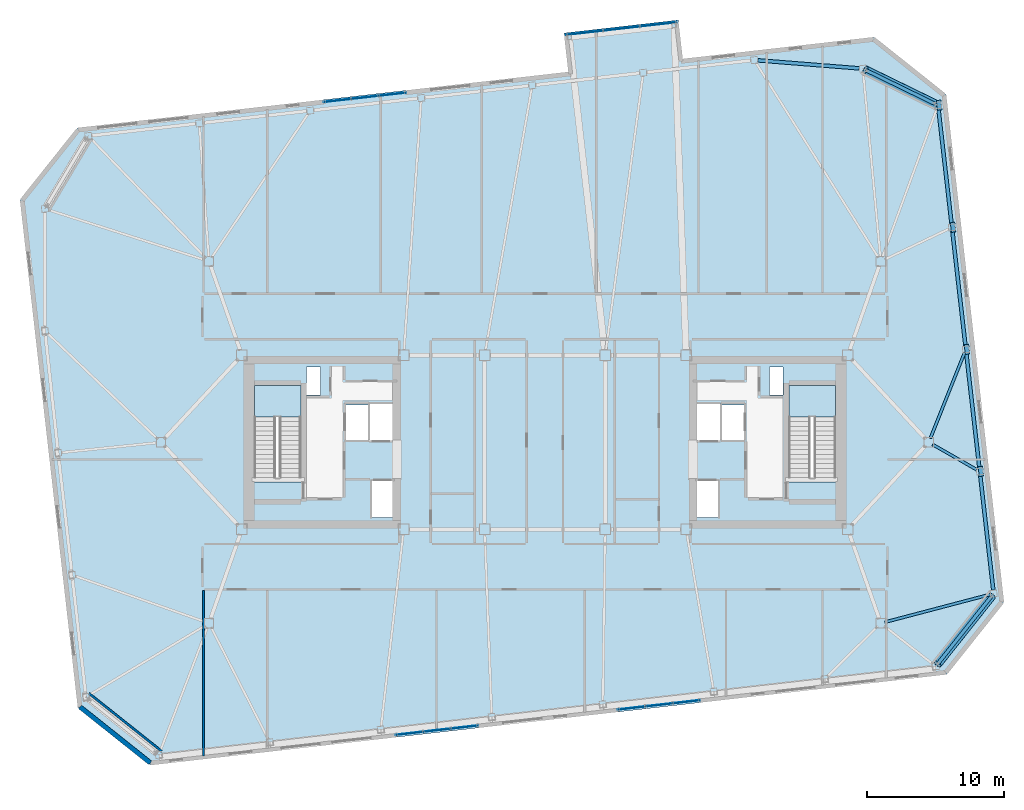
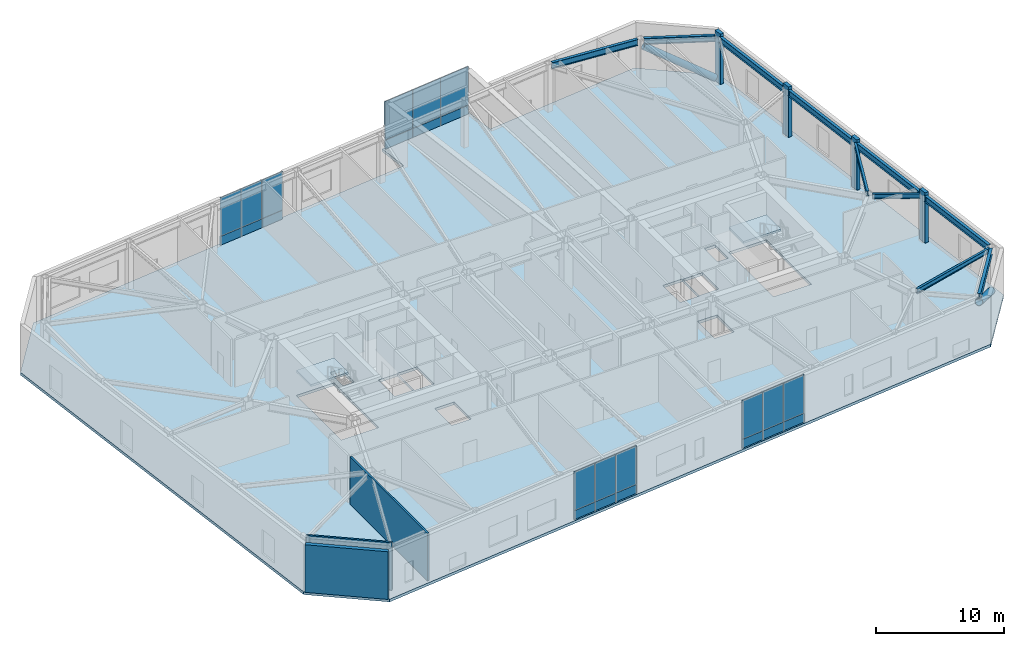
# One storey, part 13 of 21: 24 plates, 10 beams, 6 members, 3 slabs, 3 walls, 6 elements without a shape of their own.
"""IFC4 building model written with IfcOpenShell, lengths in metres."""

import ifcopenshell
import ifcopenshell.guid

model = None  # the IFC model being written
_history = None  # IfcOwnerHistory: only IFC2X3 demands one
_inside = {}  # id of a spatial element -> (the spatial element, [elements in it])
_under = {}  # id of a project, library or spatial element -> (it, [spatial elements below it])
_declared = {}  # id of a project -> (the project, [libraries it declares])
_typed = {}  # id of a type object -> (the type object, [elements of that type])
_made_of = {}  # id of a material, layer set ... -> (it, [elements and type objects made of it])


def new_model(schema):
    """Start an empty IFC model of exactly this schema.

    Asked for "IFC4X3", IfcOpenShell would pick the latest addendum, in which some entities
    have other attributes; the version numbers below select the first issue.
    IFC2X3 requires an IfcOwnerHistory on every rooted entity: one is made here for all.
    """
    global model, _history
    if schema == "IFC4X3":
        model = ifcopenshell.file(schema_version=(4, 3, 0, 0))
    else:
        model = ifcopenshell.file(schema=schema)
    _inside.clear()
    _under.clear()
    _declared.clear()
    _typed.clear()
    _made_of.clear()
    _history = None
    if model.schema == "IFC2X3":
        org = make("IfcOrganization", Name="unknown")
        user = make(
            "IfcPersonAndOrganization",
            ThePerson=make("IfcPerson", FamilyName="unknown"),
            TheOrganization=org,
        )
        app = make(
            "IfcApplication",
            ApplicationDeveloper=org,
            Version="unknown",
            ApplicationFullName="unknown",
            ApplicationIdentifier="unknown",
        )
        _history = make(
            "IfcOwnerHistory",
            OwningUser=user,
            OwningApplication=app,
            ChangeAction="ADDED",
            CreationDate=0,
        )
    return model


def make(cls, **values):
    """One entity of the class cls with the attributes given. An attribute that is None is left unset."""
    return model.create_entity(
        cls, **{name: value for name, value in values.items() if value is not None}
    )


def rooted(cls, **values):
    """An entity with a GlobalId (a new one), such as an element, a storey or a relation."""
    return make(cls, GlobalId=ifcopenshell.guid.new(), OwnerHistory=_history, **values)


def si_unit(unit_type, name, prefix=None):
    """IfcSIUnit, for example si_unit("LENGTHUNIT", "METRE", prefix="MILLI")."""
    return make("IfcSIUnit", UnitType=unit_type, Prefix=prefix, Name=name)


def assignment(units):
    """IfcUnitAssignment: the units of a project."""
    return None if units is None else make("IfcUnitAssignment", Units=units)


def point(xyz):
    """IfcCartesianPoint."""
    return None if xyz is None else make("IfcCartesianPoint", Coordinates=xyz)


def direction(xyz):
    """IfcDirection."""
    return None if xyz is None else make("IfcDirection", DirectionRatios=xyz)


def frame(location, z_axis=None, x_axis=None):
    """IfcAxis2Placement3D, a coordinate frame: its origin and axes. An axis left out is left unset."""
    return make(
        "IfcAxis2Placement3D",
        Location=point(location),
        Axis=direction(z_axis),
        RefDirection=direction(x_axis),
    )


def frame_2d(location, x_axis=None):
    """IfcAxis2Placement2D, a coordinate frame in the plane: its origin and x axis."""
    return make(
        "IfcAxis2Placement2D", Location=point(location), RefDirection=direction(x_axis)
    )


def origin():
    """The frame at (0, 0, 0) with its axes left unset."""
    return frame((0.0, 0.0, 0.0))


def origin_2d():
    """The frame at (0, 0) in the plane with its x axis left unset."""
    return frame_2d((0.0, 0.0))


def place(relative_to, where):
    """IfcLocalPlacement: puts the frame where relative to a parent placement (None: the world)."""
    return make(
        "IfcLocalPlacement", PlacementRelTo=relative_to, RelativePlacement=where
    )


def context(
    kind, dimensions, precision=None, world=None, true_north=None, identifier=None
):
    """IfcGeometricRepresentationContext, for example the 3D "Model" context."""
    return make(
        "IfcGeometricRepresentationContext",
        ContextIdentifier=identifier,
        ContextType=kind,
        CoordinateSpaceDimension=dimensions,
        Precision=precision,
        WorldCoordinateSystem=world,
        TrueNorth=true_north,
    )


def subcontext(parent, identifier, kind, view, scale=None):
    """IfcGeometricRepresentationSubContext, for example "Body" below "Model"."""
    return make(
        "IfcGeometricRepresentationSubContext",
        ContextIdentifier=identifier,
        ContextType=kind,
        ParentContext=parent,
        TargetScale=scale,
        TargetView=view,
    )


def project(units=None, contexts=None):
    """IfcProject with its units and contexts."""
    return rooted(
        "IfcProject",
        Name="project",
        RepresentationContexts=contexts,
        UnitsInContext=assignment(units),
    )


def spatial(cls, under=None, at=None, **own):
    """A site, building, storey or space (cls), placed at a placement, below another one or the project."""
    s = rooted(cls, ObjectPlacement=at, **own)
    if under is not None:
        _under.setdefault(under.id(), (under, []))[1].append(s)
    return s


def polyline(points):
    """IfcPolyline through the points."""
    return make("IfcPolyline", Points=[point(p) for p in points])


def profile(cls, at=None, kind="AREA", **sizes):
    """A parametric profile (cls). Its sizes go by their IFC names, for example OverallWidth=200.0."""
    return make(cls, ProfileType=kind, Position=at, **sizes)


def rectangle(**sizes):
    """IfcRectangleProfileDef."""
    return profile("IfcRectangleProfileDef", **sizes)


def hollow_circle(**sizes):
    """IfcCircleHollowProfileDef."""
    return profile("IfcCircleHollowProfileDef", **sizes)


def i_section(**sizes):
    """IfcIShapeProfileDef."""
    return profile("IfcIShapeProfileDef", **sizes)


def outline(outer, holes=None, kind="AREA"):
    """IfcArbitraryClosedProfileDef: a profile drawn as a closed curve; with holes, ...WithVoids."""
    if holes is None:
        return make("IfcArbitraryClosedProfileDef", ProfileType=kind, OuterCurve=outer)
    return make(
        "IfcArbitraryProfileDefWithVoids",
        ProfileType=kind,
        OuterCurve=outer,
        InnerCurves=holes,
    )


def extrude(swept, where, along, depth):
    """IfcExtrudedAreaSolid: the profile swept, set in the frame where, extruded along a direction by depth."""
    return make(
        "IfcExtrudedAreaSolid",
        SweptArea=swept,
        Position=where,
        ExtrudedDirection=direction(along),
        Depth=depth,
    )


def shape(context_of_items, identifier, shape_type, items):
    """IfcShapeRepresentation: the items that make up one representation, for example the "Body"."""
    return make(
        "IfcShapeRepresentation",
        ContextOfItems=context_of_items,
        RepresentationIdentifier=identifier,
        RepresentationType=shape_type,
        Items=items,
    )


def material(Name=None, Category=None):
    """IfcMaterial."""
    return make("IfcMaterial", Name=Name, Category=Category)


def layer(
    of_material, thickness, ventilated=None, Name=None, Category=None, Priority=None
):
    """IfcMaterialLayer: one layer of a wall or slab, of a material (None: an air gap)."""
    return make(
        "IfcMaterialLayer",
        Material=of_material,
        LayerThickness=thickness,
        IsVentilated=ventilated,
        Name=Name,
        Category=Category,
        Priority=Priority,
    )


def layer_set(layers, Name=None):
    """IfcMaterialLayerSet."""
    return make("IfcMaterialLayerSet", MaterialLayers=layers, LayerSetName=Name)


def material_profile(
    of_material, cross_section, Name=None, Category=None, Priority=None
):
    """IfcMaterialProfile: a cross section and its material."""
    return make(
        "IfcMaterialProfile",
        Name=Name,
        Material=of_material,
        Profile=cross_section,
        Priority=Priority,
        Category=Category,
    )


def profile_set(profiles, Name=None, composite=None):
    """IfcMaterialProfileSet."""
    return make(
        "IfcMaterialProfileSet",
        Name=Name,
        MaterialProfiles=profiles,
        CompositeProfile=composite,
    )


def made_of(thing, what):
    """Note that an element or type object is made of a material, layer set ...; save() writes the relation."""
    if what is not None:
        _made_of.setdefault(what.id(), (what, []))[1].append(thing)
    return thing


def type_object(cls, material=None, **own):
    """A type object (cls), such as IfcWallType, which elements share."""
    return made_of(rooted(cls, **own), material)


def element(
    cls,
    number,
    at=None,
    inside=None,
    cuts=None,
    type_object=None,
    material=None,
    context=None,
    identifier="Body",
    shape_type=None,
    held_by="IfcProductDefinitionShape",
    body=None,
    shapes=None,
    **own,
):
    """One element of the class cls, such as IfcWall. Its Tag is "e" and its number.

    at: its placement. inside: the storey or other place that contains it. cuts: it is an
    opening in that element (IfcRelVoidsElement). A single representation is given by context,
    identifier, shape_type and body (its items); several are given by shapes. held_by: the class
    of the entity that holds the representations. save() writes the other relations.
    """
    e = rooted(cls, Tag="e%d" % number, ObjectPlacement=at, **own)
    if body is not None:
        shapes = [shape(context, identifier, shape_type, body)]
    if shapes is not None:
        e.Representation = make(held_by, Representations=shapes)
    if inside is not None:
        _inside.setdefault(inside.id(), (inside, []))[1].append(e)
    if cuts is not None:
        rooted(
            "IfcRelVoidsElement", RelatingBuildingElement=cuts, RelatedOpeningElement=e
        )
    if type_object is not None:
        _typed.setdefault(type_object.id(), (type_object, []))[1].append(e)
    return made_of(e, material)


def aggregate(whole, parts):
    """IfcRelAggregates: a whole, such as a stair, and the parts it consists of."""
    return rooted("IfcRelAggregates", RelatingObject=whole, RelatedObjects=parts)


def save(model, path):
    """Write the relations noted so far, then the file.

    IfcRelAggregates (storeys below a building ...), IfcRelContainedInSpatialStructure (elements
    in a storey), IfcRelDefinesByType, IfcRelAssociatesMaterial and IfcRelDeclares: one each for
    every whole, place, type object, material and project.
    """
    for whole, parts in _under.values():
        aggregate(whole, parts)
    for where, things in _inside.values():
        rooted(
            "IfcRelContainedInSpatialStructure",
            RelatedElements=things,
            RelatingStructure=where,
        )
    for kind, things in _typed.values():
        rooted("IfcRelDefinesByType", RelatedObjects=things, RelatingType=kind)
    for what, things in _made_of.values():
        rooted("IfcRelAssociatesMaterial", RelatedObjects=things, RelatingMaterial=what)
    for by, libraries in _declared.values():
        rooted("IfcRelDeclares", RelatingContext=by, RelatedDefinitions=libraries)
    model.write(path)


model = new_model("IFC4")

# Units and contexts
model_context = context("Model", 3, precision=1e-05, world=origin(), true_north=direction((0.0, 1.0)))
body_context = subcontext(model_context, "Body", "Model", "MODEL_VIEW")
ifc_project = project(units=[si_unit("LENGTHUNIT", "METRE"), si_unit("AREAUNIT", "SQUARE_METRE"), si_unit("VOLUMEUNIT", "CUBIC_METRE"), si_unit("PLANEANGLEUNIT", "RADIAN"), si_unit("MASSUNIT", "GRAM", prefix="KILO")], contexts=[model_context])

# Site, building, storey
site_placement = place(None, origin())
site = spatial("IfcSite", under=ifc_project, at=site_placement, CompositionType="ELEMENT")
building_placement = place(site_placement, origin())
building = spatial("IfcBuilding", under=site, at=building_placement, Name="Tavrogorsk Clinical Tower", CompositionType="ELEMENT")
storey_placement = place(building_placement, frame((0.0, 0.0, 238.199951171875)))
storey = spatial("IfcBuildingStorey", under=building, at=storey_placement, Name="L55", CompositionType="ELEMENT", Elevation=238.199951171875)

# Members
ifc_material_1 = material(Name="Structural steel S440", Category="steel")
ifc_material_profile_1 = material_profile(ifc_material_1, hollow_circle(Radius=0.304931640625, WallThickness=0.02490234375, at=origin_2d()), Name="CHS-610x25")
ifc_profile_set_1 = profile_set([ifc_material_profile_1], Name="Structural steel S440")
member_type_1 = type_object("IfcMemberType", Name="ExoBrace_CHS610", PredefinedType="BRACE", material=ifc_profile_set_1)
member_1_placement = place(storey_placement, frame((32.592529296875, -11.21142578125, 0.420654296875), z_axis=(-0.550299521976, -0.691810956092, 0.467512606401), x_axis=(0.782603615604, -0.622520345726, 0.0)))
element("IfcMember", 1, at=member_1_placement, inside=storey, type_object=member_type_1, Name="L55 Corner Exoskeleton Brace S8-E1", PredefinedType="BRACE", context=body_context, shape_type="SweptSolid", body=[
    extrude(hollow_circle(Radius=0.304931640625, WallThickness=0.02490234375, at=origin_2d()), origin(), (0.0, 0.0, 1.0), 7.1630859375),
])
member_2_placement = place(storey_placement, frame((28.477294921875, 24.674072265625, 0.430908203125), z_axis=(-0.774848026398, 0.377889423668, 0.506764362863), x_axis=(-0.438343774876, -0.898807395957, 0.0)))
element("IfcMember", 2, at=member_2_placement, inside=storey, type_object=member_type_1, Name="L55 Corner Exoskeleton Brace E5-N1", PredefinedType="BRACE", context=body_context, shape_type="SweptSolid", body=[
    extrude(hollow_circle(Radius=0.304931640625, WallThickness=0.02490234375, at=origin_2d()), origin(), (0.0, 0.0, 1.0), 6.56787109375),
])

# Beams
ifc_material_2 = material(Name="Structural steel S355", Category="steel")
ifc_material_profile_2 = material_profile(ifc_material_2, i_section(OverallWidth=0.199951171875, OverallDepth=0.449951171875, WebThickness=0.011474609375, FlangeThickness=0.01806640625, at=origin_2d()), Name="B-450x200x11.5x18")
ifc_profile_set_2 = profile_set([ifc_material_profile_2], Name="Structural steel S355")
beam_type_1 = type_object("IfcBeamType", Name="FloorBeam_B450", PredefinedType="BEAM", material=ifc_profile_set_2)
beam_1_placement = place(storey_placement, frame((24.7998046875, -13.12109375, 4.31494140625), z_axis=(0.967072149487, 0.254502372652, 0.0), x_axis=(-0.254502372652, 0.967072149487, 0.0)))
element("IfcBeam", 3, at=beam_1_placement, inside=storey, type_object=beam_type_1, Name="L55 Radial Floor Beam E1", PredefinedType="BEAM", context=body_context, shape_type="SweptSolid", body=[
    extrude(i_section(OverallWidth=0.199951171875, OverallDepth=0.449951171875, WebThickness=0.011474609375, FlangeThickness=0.01806640625, at=origin_2d()), origin(), (0.0, 0.0, 1.0), 7.94677734375),
])
beam_2_placement = place(storey_placement, frame((28.26904296875, -0.154052734375, 4.31494140625), z_axis=(0.867782232017, -0.49694466271, 0.0), x_axis=(0.49694466271, 0.867782232017, 0.0)))
element("IfcBeam", 4, at=beam_2_placement, inside=storey, type_object=beam_type_1, Name="L55 Radial Floor Beam E2", PredefinedType="BEAM", context=body_context, shape_type="SweptSolid", body=[
    extrude(i_section(OverallWidth=0.199951171875, OverallDepth=0.449951171875, WebThickness=0.011474609375, FlangeThickness=0.01806640625, at=origin_2d()), origin(), (0.0, 0.0, 1.0), 3.718994140625),
])
beam_3_placement = place(storey_placement, frame((28.114990234375, 0.287841796875, 4.31494140625), z_axis=(0.371052625529, 0.928611839838, 0.0), x_axis=(-0.928611839838, 0.371052625529, 0.0)))
element("IfcBeam", 5, at=beam_3_placement, inside=storey, type_object=beam_type_1, Name="L55 Radial Floor Beam E3", PredefinedType="BEAM", context=body_context, shape_type="SweptSolid", body=[
    extrude(i_section(OverallWidth=0.199951171875, OverallDepth=0.449951171875, WebThickness=0.011474609375, FlangeThickness=0.01806640625, at=origin_2d()), origin(), (0.0, 0.0, 1.0), 6.724365234375),
])

# Members
ifc_material_3 = material(Name="Precast concrete B45 with limestone cladding", Category="masonry")
ifc_material_profile_3 = material_profile(ifc_material_3, rectangle(XDim=0.320068359375, YDim=0.719970703125, at=origin_2d()), Name="LIMESTONE-FIN-320x720")
ifc_profile_set_3 = profile_set([ifc_material_profile_3], Name="Precast concrete B45 with limestone cladding")
member_type_2 = type_object("IfcMemberType", Name="LimestonePleatFin_320x720", PredefinedType="USERDEFINED", material=ifc_profile_set_3)
for number, where, z_axis, x_axis, name in (
    (6, (31.799560546875, -2.121337890625, 0.0), (0.0, 0.0, 1.0), (0.993571855677, 0.113203213768, 0.0), "L55 E Pleated Stone Fin 1"),
    (7, (30.785400390625, 6.781005859375, 0.0), (0.0, 0.0, 1.0), (0.993571855677, 0.113203213768, 0.0), "L55 E Pleated Stone Fin 2"),
    (8, (29.77099609375, 15.683349609375, 0.0), (0.0, 0.0, 1.0), (0.993571855677, 0.113203213768, 0.0), "L55 E Pleated Stone Fin 3"),
    (9, (28.756591796875, 24.585693359375, 0.0), (0.0, 0.0, 1.0), (0.993571855677, 0.113203213768, 0.0), "L55 E Pleated Stone Fin 4"),
):
    element("IfcMember", number, at=place(storey_placement, frame(where, z_axis=z_axis, x_axis=x_axis)), inside=storey, type_object=member_type_2, Name=name, ObjectType="FIN", PredefinedType="USERDEFINED", context=body_context, shape_type="SweptSolid", body=[
        extrude(rectangle(XDim=0.320068359375, YDim=0.719970703125, at=origin_2d()), origin(), (0.0, 0.0, 1.0), 4.800048828125),
    ])

# Beams
ifc_material_4 = material(Name="Structural steel S390", Category="steel")
ifc_material_profile_4 = material_profile(ifc_material_4, i_section(OverallWidth=0.260009765625, OverallDepth=0.60009765625, WebThickness=0.014892578125, FlangeThickness=0.02392578125, at=origin_2d()), Name="B-600x260x15x24")
ifc_profile_set_4 = profile_set([ifc_material_profile_4], Name="Structural steel S390")
beam_type_2 = type_object("IfcBeamType", Name="SpandrelBeam_B600", PredefinedType="SPANDREL", material=ifc_profile_set_4)
beam_4_placement = place(storey_placement, frame((28.669189453125, -16.1435546875, 4.239990234375), z_axis=(0.622513813188, 0.782608811853, 0.0), x_axis=(-0.782608811853, 0.622513813188, 0.0)))
element("IfcBeam", 10, at=beam_4_placement, inside=storey, type_object=beam_type_2, Name="L55 Perimeter Spandrel S8-E1", PredefinedType="SPANDREL", context=body_context, shape_type="SweptSolid", body=[
    extrude(i_section(OverallWidth=0.260009765625, OverallDepth=0.60009765625, WebThickness=0.014892578125, FlangeThickness=0.02392578125, at=origin_2d()), origin(), (0.0, 0.0, 1.0), 6.272216796875),
])
for number, where, z_axis, x_axis, name in (
    (11, (32.705078125, -10.776611328125, 4.239990234375), (-0.113191877531, 0.993573147212, 0.0), (-0.993573147212, -0.113191877531, 0.0), "L55 Perimeter Spandrel E1-E2"),
    (12, (31.69091796875, -1.874267578125, 4.239990234375), (-0.113191877531, 0.993573147212, 0.0), (-0.993573147212, -0.113191877531, 0.0), "L55 Perimeter Spandrel E2-E3"),
):
    element("IfcBeam", number, at=place(storey_placement, frame(where, z_axis=z_axis, x_axis=x_axis)), inside=storey, type_object=beam_type_2, Name=name, PredefinedType="SPANDREL", context=body_context, shape_type="SweptSolid", body=[
        extrude(i_section(OverallWidth=0.260009765625, OverallDepth=0.60009765625, WebThickness=0.014892578125, FlangeThickness=0.02392578125, at=origin_2d()), origin(), (0.0, 0.0, 1.0), 8.444091796875),
    ])
for number, where, z_axis, x_axis, name in (
    (13, (30.676513671875, 7.0283203125, 4.239990234375), (-0.113195129234, 0.99357277676, 0.0), (-0.99357277676, -0.113195129234, 0.0), "L55 Perimeter Spandrel E3-E4"),
    (14, (29.662353515625, 15.9306640625, 4.239990234375), (-0.113223671813, 0.993569524563, 0.0), (-0.993569524563, -0.113223671813, 0.0), "L55 Perimeter Spandrel E4-E5"),
):
    element("IfcBeam", number, at=place(storey_placement, frame(where, z_axis=z_axis, x_axis=x_axis)), inside=storey, type_object=beam_type_2, Name=name, PredefinedType="SPANDREL", context=body_context, shape_type="SweptSolid", body=[
        extrude(i_section(OverallWidth=0.260009765625, OverallDepth=0.60009765625, WebThickness=0.014892578125, FlangeThickness=0.02392578125, at=origin_2d()), origin(), (0.0, 0.0, 1.0), 8.44384765625),
    ])
beam_5_placement = place(storey_placement, frame((28.4453125, 24.689697265625, 4.239990234375), z_axis=(-0.898811248667, 0.438335874951, 0.0), x_axis=(-0.438335874951, -0.898811248667, 0.0)))
element("IfcBeam", 15, at=beam_5_placement, inside=storey, type_object=beam_type_2, Name="L55 Perimeter Spandrel E5-N1", PredefinedType="SPANDREL", context=body_context, shape_type="SweptSolid", body=[
    extrude(i_section(OverallWidth=0.260009765625, OverallDepth=0.60009765625, WebThickness=0.014892578125, FlangeThickness=0.02392578125, at=origin_2d()), origin(), (0.0, 0.0, 1.0), 5.5908203125),
])
beam_6_placement = place(storey_placement, frame((22.930908203125, 27.273681640625, 4.239990234375), z_axis=(-0.996881705424, 0.078910489738, 0.0), x_axis=(-0.078910489738, -0.996881705424, 0.0)))
element("IfcBeam", 16, at=beam_6_placement, inside=storey, type_object=beam_type_2, Name="L55 Perimeter Spandrel N1-N2", PredefinedType="SPANDREL", context=body_context, shape_type="SweptSolid", body=[
    extrude(i_section(OverallWidth=0.260009765625, OverallDepth=0.60009765625, WebThickness=0.014892578125, FlangeThickness=0.02392578125, at=origin_2d()), origin(), (0.0, 0.0, 1.0), 7.428466796875),
])

# Curtain wall, plates
ifc_material_5 = material(Name="Anodised aluminium and triple IGU glazing", Category="aluminium")
ifc_layer_1 = layer(ifc_material_5, 0.179931640625)
ifc_layer_set_1 = layer_set([ifc_layer_1], Name="Anodised aluminium and triple IGU glazing")
curtain_wall_type_1 = type_object("IfcCurtainWallType", Name="CW5_SkyLobby", PredefinedType="NOTDEFINED", material=ifc_layer_set_1)
curtain_wall_1_placement = place(storey_placement, origin())
curtain_wall_1 = element("IfcCurtainWall", 17, at=curtain_wall_1_placement, inside=storey, type_object=curtain_wall_type_1, Name="L55 Curtain Wall CW-L55-S-CW5-1", PredefinedType="NOTDEFINED")
ifc_material_6 = material(Name="Honed Podolsk limestone spandrel panel", Category="masonry")
ifc_layer_2 = layer(ifc_material_6, 0.080078125)
ifc_layer_set_2 = layer_set([ifc_layer_2], Name="Honed Podolsk limestone spandrel panel")
plate_type_1 = type_object("IfcPlateType", Name="CwSpandrelStonePanel_80", PredefinedType="CURTAIN_PANEL", material=ifc_layer_set_2)
plate_1_placement = place(storey_placement, frame((-9.878173828125, -21.232421875, 0.002197265625), z_axis=(0.0, 0.0, 1.0), x_axis=(0.993571849076, 0.113203271705, 0.0)))
plate_1 = element("IfcPlate", 18, at=plate_1_placement, type_object=plate_type_1, Name="CW-L55-S-CW5-1 Stone Spandrel Panel 1", PredefinedType="CURTAIN_PANEL", context=body_context, shape_type="SweptSolid", body=[
    extrude(rectangle(XDim=2.006591796875, YDim=0.080078125, at=origin_2d()), origin(), (0.0, 0.0, 1.0), 0.8359375),
])
plate_2_placement = place(storey_placement, frame((-7.866455078125, -21.003173828125, 0.002197265625), z_axis=(0.0, 0.0, 1.0), x_axis=(0.993571849076, 0.113203271705, 0.0)))
plate_2 = element("IfcPlate", 19, at=plate_2_placement, type_object=plate_type_1, Name="CW-L55-S-CW5-1 Stone Spandrel Panel 2", PredefinedType="CURTAIN_PANEL", context=body_context, shape_type="SweptSolid", body=[
    extrude(rectangle(XDim=1.99462890625, YDim=0.080078125, at=origin_2d()), origin(), (0.0, 0.0, 1.0), 0.8359375),
])
plate_3_placement = place(storey_placement, frame((-5.85498046875, -20.77392578125, 0.002197265625), z_axis=(0.0, 0.0, 1.0), x_axis=(0.993571849076, 0.113203271705, 0.0)))
plate_3 = element("IfcPlate", 20, at=plate_3_placement, type_object=plate_type_1, Name="CW-L55-S-CW5-1 Stone Spandrel Panel 3", PredefinedType="CURTAIN_PANEL", context=body_context, shape_type="SweptSolid", body=[
    extrude(rectangle(XDim=2.006591796875, YDim=0.080078125, at=origin_2d()), origin(), (0.0, 0.0, 1.0), 0.8359375),
])

curtain_wall_2_placement = place(storey_placement, origin())
curtain_wall_2 = element("IfcCurtainWall", 21, at=curtain_wall_2_placement, inside=storey, type_object=curtain_wall_type_1, Name="L55 Curtain Wall CW-L55-S-CW5-2", PredefinedType="NOTDEFINED")
plate_4_placement = place(storey_placement, frame((6.314208984375, -19.387451171875, 0.002197265625), z_axis=(0.0, 0.0, 1.0), x_axis=(0.993571867648, 0.113203108698, 0.0)))
plate_4 = element("IfcPlate", 22, at=plate_4_placement, type_object=plate_type_1, Name="CW-L55-S-CW5-2 Stone Spandrel Panel 1", PredefinedType="CURTAIN_PANEL", context=body_context, shape_type="SweptSolid", body=[
    extrude(rectangle(XDim=2.006591796875, YDim=0.080078125, at=origin_2d()), origin(), (0.0, 0.0, 1.0), 0.8359375),
])
plate_5_placement = place(storey_placement, frame((8.325927734375, -19.158203125, 0.002197265625), z_axis=(0.0, 0.0, 1.0), x_axis=(0.993571867648, 0.113203108698, 0.0)))
plate_5 = element("IfcPlate", 23, at=plate_5_placement, type_object=plate_type_1, Name="CW-L55-S-CW5-2 Stone Spandrel Panel 2", PredefinedType="CURTAIN_PANEL", context=body_context, shape_type="SweptSolid", body=[
    extrude(rectangle(XDim=1.99462890625, YDim=0.080078125, at=origin_2d()), origin(), (0.0, 0.0, 1.0), 0.8359375),
])
plate_6_placement = place(storey_placement, frame((10.337646484375, -18.928955078125, 0.002197265625), z_axis=(0.0, 0.0, 1.0), x_axis=(0.993571867648, 0.113203108698, 0.0)))
plate_6 = element("IfcPlate", 24, at=plate_6_placement, type_object=plate_type_1, Name="CW-L55-S-CW5-2 Stone Spandrel Panel 3", PredefinedType="CURTAIN_PANEL", context=body_context, shape_type="SweptSolid", body=[
    extrude(rectangle(XDim=2.006591796875, YDim=0.080078125, at=origin_2d()), origin(), (0.0, 0.0, 1.0), 0.8359375),
])

curtain_wall_3_placement = place(storey_placement, origin())
curtain_wall_3 = element("IfcCurtainWall", 25, at=curtain_wall_3_placement, inside=storey, type_object=curtain_wall_type_1, Name="L55 Curtain Wall CW-L55-N-CW5-1", PredefinedType="NOTDEFINED")
plate_7_placement = place(storey_placement, frame((-11.1142578125, 25.387451171875, 0.002197265625), z_axis=(0.0, 0.0, 1.0), x_axis=(-0.993571867648, -0.113203108698, 0.0)))
plate_7 = element("IfcPlate", 26, at=plate_7_placement, type_object=plate_type_1, Name="CW-L55-N-CW5-1 Stone Spandrel Panel 1", PredefinedType="CURTAIN_PANEL", context=body_context, shape_type="SweptSolid", body=[
    extrude(rectangle(XDim=2.006591796875, YDim=0.080078125, at=origin_2d()), origin(), (0.0, 0.0, 1.0), 0.8359375),
])
plate_8_placement = place(storey_placement, frame((-13.1259765625, 25.158203125, 0.002197265625), z_axis=(0.0, 0.0, 1.0), x_axis=(-0.993571867648, -0.113203108698, 0.0)))
plate_8 = element("IfcPlate", 27, at=plate_8_placement, type_object=plate_type_1, Name="CW-L55-N-CW5-1 Stone Spandrel Panel 2", PredefinedType="CURTAIN_PANEL", context=body_context, shape_type="SweptSolid", body=[
    extrude(rectangle(XDim=1.99462890625, YDim=0.080078125, at=origin_2d()), origin(), (0.0, 0.0, 1.0), 0.8359375),
])
plate_9_placement = place(storey_placement, frame((-15.1376953125, 24.928955078125, 0.002197265625), z_axis=(0.0, 0.0, 1.0), x_axis=(-0.993571867648, -0.113203108698, 0.0)))
plate_9 = element("IfcPlate", 28, at=plate_9_placement, type_object=plate_type_1, Name="CW-L55-N-CW5-1 Stone Spandrel Panel 3", PredefinedType="CURTAIN_PANEL", context=body_context, shape_type="SweptSolid", body=[
    extrude(rectangle(XDim=2.006591796875, YDim=0.080078125, at=origin_2d()), origin(), (0.0, 0.0, 1.0), 0.8359375),
])

ifc_material_7 = material(Name="Anodised aluminium and triple IGU glazing", Category="aluminium")
ifc_layer_3 = layer(ifc_material_7, 0.179931640625)
ifc_layer_set_3 = layer_set([ifc_layer_3], Name="Anodised aluminium and triple IGU glazing")
curtain_wall_type_2 = type_object("IfcCurtainWallType", Name="CW4_DayroomBox", PredefinedType="NOTDEFINED", material=ifc_layer_set_3)
curtain_wall_4_placement = place(storey_placement, origin())
curtain_wall_4 = element("IfcCurtainWall", 29, at=curtain_wall_4_placement, inside=storey, type_object=curtain_wall_type_2, Name="L55 Curtain Wall CW-DRB-08-L55", PredefinedType="NOTDEFINED")
plate_10_placement = place(storey_placement, frame((2.885986328125, 29.87109375, 0.002197265625), z_axis=(0.0, 0.0, 1.0), x_axis=(0.993571856066, 0.113203210352, 0.0)))
plate_10 = element("IfcPlate", 30, at=plate_10_placement, type_object=plate_type_1, Name="CW-DRB-08-L55 Stone Spandrel Panel 1", PredefinedType="CURTAIN_PANEL", context=body_context, shape_type="SweptSolid", body=[
    extrude(rectangle(XDim=2.68798828125, YDim=0.080078125, at=origin_2d()), origin(), (0.0, 0.0, 1.0), 0.8359375),
])
plate_11_placement = place(storey_placement, frame((5.57470703125, 30.177490234375, 0.002197265625), z_axis=(0.0, 0.0, 1.0), x_axis=(0.993571856066, 0.113203210352, 0.0)))
plate_11 = element("IfcPlate", 31, at=plate_11_placement, type_object=plate_type_1, Name="CW-DRB-08-L55 Stone Spandrel Panel 2", PredefinedType="CURTAIN_PANEL", context=body_context, shape_type="SweptSolid", body=[
    extrude(rectangle(XDim=2.676025390625, YDim=0.080078125, at=origin_2d()), origin(), (0.0, 0.0, 1.0), 0.8359375),
])
plate_12_placement = place(storey_placement, frame((8.26318359375, 30.48388671875, 0.002197265625), z_axis=(0.0, 0.0, 1.0), x_axis=(0.993571856066, 0.113203210352, 0.0)))
plate_12 = element("IfcPlate", 32, at=plate_12_placement, type_object=plate_type_1, Name="CW-DRB-08-L55 Stone Spandrel Panel 3", PredefinedType="CURTAIN_PANEL", context=body_context, shape_type="SweptSolid", body=[
    extrude(rectangle(XDim=2.68798828125, YDim=0.080078125, at=origin_2d()), origin(), (0.0, 0.0, 1.0), 0.8359375),
])

# Plate
ifc_material_8 = material(Name="Triple low-E argon insulated glass", Category="glass")
ifc_layer_4 = layer(ifc_material_8, 0.048095703125)
ifc_layer_set_4 = layer_set([ifc_layer_4], Name="Triple low-E argon insulated glass")
plate_type_2 = type_object("IfcPlateType", Name="CwVisionGlassPanel_48", PredefinedType="CURTAIN_PANEL", material=ifc_layer_set_4)
plate_13_placement = place(storey_placement, frame((-9.878173828125, -21.232421875, 0.86181640625), z_axis=(0.0, 0.0, 1.0), x_axis=(0.993571849076, 0.113203271705, 0.0)))
plate_13 = element("IfcPlate", 33, at=plate_13_placement, type_object=plate_type_2, Name="CW-L55-S-CW5-1 Glazing Panel 1", PredefinedType="CURTAIN_PANEL", context=body_context, shape_type="SweptSolid", body=[
    extrude(rectangle(XDim=2.006591796875, YDim=0.048095703125, at=origin_2d()), origin(), (0.0, 0.0, 1.0), 3.676025390625),
])

plate_14_placement = place(storey_placement, frame((-7.866455078125, -21.003173828125, 0.86181640625), z_axis=(0.0, 0.0, 1.0), x_axis=(0.993571849076, 0.113203271705, 0.0)))
plate_14 = element("IfcPlate", 34, at=plate_14_placement, type_object=plate_type_2, Name="CW-L55-S-CW5-1 Glazing Panel 2", PredefinedType="CURTAIN_PANEL", context=body_context, shape_type="SweptSolid", body=[
    extrude(rectangle(XDim=1.99462890625, YDim=0.048095703125, at=origin_2d()), origin(), (0.0, 0.0, 1.0), 3.676025390625),
])

plate_15_placement = place(storey_placement, frame((-5.85498046875, -20.77392578125, 0.86181640625), z_axis=(0.0, 0.0, 1.0), x_axis=(0.993571849076, 0.113203271705, 0.0)))
plate_15 = element("IfcPlate", 35, at=plate_15_placement, type_object=plate_type_2, Name="CW-L55-S-CW5-1 Glazing Panel 3", PredefinedType="CURTAIN_PANEL", context=body_context, shape_type="SweptSolid", body=[
    extrude(rectangle(XDim=2.006591796875, YDim=0.048095703125, at=origin_2d()), origin(), (0.0, 0.0, 1.0), 3.676025390625),
])

aggregate(curtain_wall_1, [plate_1, plate_13, plate_2, plate_14, plate_3, plate_15])

plate_16_placement = place(storey_placement, frame((6.314208984375, -19.387451171875, 0.86181640625), z_axis=(0.0, 0.0, 1.0), x_axis=(0.993571867648, 0.113203108698, 0.0)))
plate_16 = element("IfcPlate", 36, at=plate_16_placement, type_object=plate_type_2, Name="CW-L55-S-CW5-2 Glazing Panel 1", PredefinedType="CURTAIN_PANEL", context=body_context, shape_type="SweptSolid", body=[
    extrude(rectangle(XDim=2.006591796875, YDim=0.048095703125, at=origin_2d()), origin(), (0.0, 0.0, 1.0), 3.676025390625),
])

plate_17_placement = place(storey_placement, frame((8.325927734375, -19.158203125, 0.86181640625), z_axis=(0.0, 0.0, 1.0), x_axis=(0.993571867648, 0.113203108698, 0.0)))
plate_17 = element("IfcPlate", 37, at=plate_17_placement, type_object=plate_type_2, Name="CW-L55-S-CW5-2 Glazing Panel 2", PredefinedType="CURTAIN_PANEL", context=body_context, shape_type="SweptSolid", body=[
    extrude(rectangle(XDim=1.99462890625, YDim=0.048095703125, at=origin_2d()), origin(), (0.0, 0.0, 1.0), 3.676025390625),
])

plate_18_placement = place(storey_placement, frame((10.337646484375, -18.928955078125, 0.86181640625), z_axis=(0.0, 0.0, 1.0), x_axis=(0.993571867648, 0.113203108698, 0.0)))
plate_18 = element("IfcPlate", 38, at=plate_18_placement, type_object=plate_type_2, Name="CW-L55-S-CW5-2 Glazing Panel 3", PredefinedType="CURTAIN_PANEL", context=body_context, shape_type="SweptSolid", body=[
    extrude(rectangle(XDim=2.006591796875, YDim=0.048095703125, at=origin_2d()), origin(), (0.0, 0.0, 1.0), 3.676025390625),
])

aggregate(curtain_wall_2, [plate_4, plate_16, plate_5, plate_17, plate_6, plate_18])

plate_19_placement = place(storey_placement, frame((-11.1142578125, 25.387451171875, 0.86181640625), z_axis=(0.0, 0.0, 1.0), x_axis=(-0.993571867648, -0.113203108698, 0.0)))
plate_19 = element("IfcPlate", 39, at=plate_19_placement, type_object=plate_type_2, Name="CW-L55-N-CW5-1 Glazing Panel 1", PredefinedType="CURTAIN_PANEL", context=body_context, shape_type="SweptSolid", body=[
    extrude(rectangle(XDim=2.006591796875, YDim=0.048095703125, at=origin_2d()), origin(), (0.0, 0.0, 1.0), 3.676025390625),
])

plate_20_placement = place(storey_placement, frame((-13.1259765625, 25.158203125, 0.86181640625), z_axis=(0.0, 0.0, 1.0), x_axis=(-0.993571867648, -0.113203108698, 0.0)))
plate_20 = element("IfcPlate", 40, at=plate_20_placement, type_object=plate_type_2, Name="CW-L55-N-CW5-1 Glazing Panel 2", PredefinedType="CURTAIN_PANEL", context=body_context, shape_type="SweptSolid", body=[
    extrude(rectangle(XDim=1.99462890625, YDim=0.048095703125, at=origin_2d()), origin(), (0.0, 0.0, 1.0), 3.676025390625),
])

plate_21_placement = place(storey_placement, frame((-15.1376953125, 24.928955078125, 0.86181640625), z_axis=(0.0, 0.0, 1.0), x_axis=(-0.993571867648, -0.113203108698, 0.0)))
plate_21 = element("IfcPlate", 41, at=plate_21_placement, type_object=plate_type_2, Name="CW-L55-N-CW5-1 Glazing Panel 3", PredefinedType="CURTAIN_PANEL", context=body_context, shape_type="SweptSolid", body=[
    extrude(rectangle(XDim=2.006591796875, YDim=0.048095703125, at=origin_2d()), origin(), (0.0, 0.0, 1.0), 3.676025390625),
])

aggregate(curtain_wall_3, [plate_7, plate_19, plate_8, plate_20, plate_9, plate_21])

plate_22_placement = place(storey_placement, frame((2.885986328125, 29.87109375, 0.86181640625), z_axis=(0.0, 0.0, 1.0), x_axis=(0.993571856066, 0.113203210352, 0.0)))
plate_22 = element("IfcPlate", 42, at=plate_22_placement, type_object=plate_type_2, Name="CW-DRB-08-L55 Glazing Panel 1", PredefinedType="CURTAIN_PANEL", context=body_context, shape_type="SweptSolid", body=[
    extrude(rectangle(XDim=2.68798828125, YDim=0.048095703125, at=origin_2d()), origin(), (0.0, 0.0, 1.0), 3.676025390625),
])

plate_23_placement = place(storey_placement, frame((5.57470703125, 30.177490234375, 0.86181640625), z_axis=(0.0, 0.0, 1.0), x_axis=(0.993571856066, 0.113203210352, 0.0)))
plate_23 = element("IfcPlate", 43, at=plate_23_placement, type_object=plate_type_2, Name="CW-DRB-08-L55 Glazing Panel 2", PredefinedType="CURTAIN_PANEL", context=body_context, shape_type="SweptSolid", body=[
    extrude(rectangle(XDim=2.676025390625, YDim=0.048095703125, at=origin_2d()), origin(), (0.0, 0.0, 1.0), 3.676025390625),
])

plate_24_placement = place(storey_placement, frame((8.26318359375, 30.48388671875, 0.86181640625), z_axis=(0.0, 0.0, 1.0), x_axis=(0.993571856066, 0.113203210352, 0.0)))
plate_24 = element("IfcPlate", 44, at=plate_24_placement, type_object=plate_type_2, Name="CW-DRB-08-L55 Glazing Panel 3", PredefinedType="CURTAIN_PANEL", context=body_context, shape_type="SweptSolid", body=[
    extrude(rectangle(XDim=2.68798828125, YDim=0.048095703125, at=origin_2d()), origin(), (0.0, 0.0, 1.0), 3.676025390625),
])

aggregate(curtain_wall_4, [plate_10, plate_22, plate_11, plate_23, plate_12, plate_24])

# Stair, slab
ifc_material_9 = material(Name="Concrete B60", Category="concrete")
stair_type = type_object("IfcStairType", Name="CoreStairAssembly", PredefinedType="HALF_TURN_STAIR", material=ifc_material_9)
stair_1_placement = place(storey_placement, origin())
stair_1 = element("IfcStair", 45, at=stair_1_placement, inside=storey, type_object=stair_type, Name="L55 ST-W", PredefinedType="HALF_TURN_STAIR")
ifc_material_10 = material(Name="Concrete B60", Category="concrete")
ifc_layer_5 = layer(ifc_material_10, 0.199951171875)
ifc_layer_set_5 = layer_set([ifc_layer_5], Name="Concrete B60")
slab_type_1 = type_object("IfcSlabType", Name="StairLanding_200", PredefinedType="LANDING", material=ifc_layer_set_5)
slab_1_placement = place(storey_placement, frame((0.0, 0.0, 2.199951171875)))
slab_1 = element("IfcSlab", 46, at=slab_1_placement, type_object=slab_type_1, Name="ST-W landing 1", PredefinedType="LANDING", context=body_context, shape_type="SweptSolid", body=[
    extrude(outline(polyline([(-17.800048828125, 1.844970703125), (-17.800048828125, 4.125), (-21.199951171875, 4.125), (-21.199951171875, 1.844970703125), (-17.800048828125, 1.844970703125)])), origin(), (0.0, 0.0, 1.0), 0.2001953125),
])
aggregate(stair_1, [slab_1])

stair_2_placement = place(storey_placement, origin())
stair_2 = element("IfcStair", 47, at=stair_2_placement, inside=storey, type_object=stair_type, Name="L55 ST-E", PredefinedType="HALF_TURN_STAIR")
slab_2_placement = place(storey_placement, frame((0.0, 0.0, 2.199951171875)))
slab_2 = element("IfcSlab", 48, at=slab_2_placement, type_object=slab_type_1, Name="ST-E landing 1", PredefinedType="LANDING", context=body_context, shape_type="SweptSolid", body=[
    extrude(outline(polyline([(21.199951171875, 1.844970703125), (21.199951171875, 4.125), (17.800048828125, 4.125), (17.800048828125, 1.844970703125), (21.199951171875, 1.844970703125)])), origin(), (0.0, 0.0, 1.0), 0.2001953125),
])
aggregate(stair_2, [slab_2])

# Slab
ifc_material_11 = material(Name="Concrete B60", Category="concrete")
ifc_layer_6 = layer(ifc_material_11, 0.260009765625)
ifc_layer_set_6 = layer_set([ifc_layer_6], Name="Concrete B60")
slab_type_2 = type_object("IfcSlabType", Name="WardSlab_260", PredefinedType="FLOOR", material=ifc_layer_set_6)
slab_3_placement = place(storey_placement, frame((0.0, 0.0, -0.260009765625)))
element("IfcSlab", 49, at=slab_3_placement, inside=storey, type_object=slab_type_2, Name="L55 Structural Slab", PredefinedType="FLOOR", context=body_context, shape_type="SweptSolid", body=[
    extrude(outline(polyline([(23.96337890625, 29.55517578125), (29.27587890625, 25.329345703125), (33.487060546875, -11.631591796875), (29.26123046875, -16.944091796875), (-28.76318359375, -23.55517578125), (-34.075927734375, -19.329345703125), (-38.287109375, 17.631591796875), (-34.061279296875, 22.944091796875), (1.707275390625, 27.019287109375), (1.384765625, 29.85107421875), (9.730712890625, 30.802001953125), (10.05322265625, 27.97021484375), (23.96337890625, 29.55517578125)]), holes=[polyline([(-17.800048828125, -2.8798828125), (-17.800048828125, 4.125), (-21.199951171875, 4.125), (-21.199951171875, -2.8798828125), (-17.800048828125, -2.8798828125)]), polyline([(21.199951171875, -2.8798828125), (21.199951171875, 4.125), (17.800048828125, 4.125), (17.800048828125, -2.8798828125), (21.199951171875, -2.8798828125)]), polyline([(-14.6201171875, 0.169921875), (-12.860107421875, 0.169921875), (-12.860107421875, 2.72998046875), (-14.6201171875, 2.72998046875), (-14.6201171875, 0.169921875)]), polyline([(-12.72998046875, -5.47998046875), (-10.969970703125, -5.47998046875), (-10.969970703125, -2.820068359375), (-12.72998046875, -2.820068359375), (-12.72998046875, -5.47998046875)]), polyline([(-12.840087890625, 0.1201171875), (-11.080078125, 0.1201171875), (-11.080078125, 2.780029296875), (-12.840087890625, 2.780029296875), (-12.840087890625, 0.1201171875)]), polyline([(12.860107421875, 0.169921875), (14.6201171875, 0.169921875), (14.6201171875, 2.72998046875), (12.860107421875, 2.72998046875), (12.860107421875, 0.169921875)]), polyline([(10.969970703125, -5.47998046875), (12.72998046875, -5.47998046875), (12.72998046875, -2.820068359375), (10.969970703125, -2.820068359375), (10.969970703125, -5.47998046875)]), polyline([(11.080078125, 0.1201171875), (12.840087890625, 0.1201171875), (12.840087890625, 2.780029296875), (11.080078125, 2.780029296875), (11.080078125, 0.1201171875)]), polyline([(-17.3798828125, 3.449951171875), (-16.3798828125, 3.449951171875), (-16.3798828125, 5.5), (-17.3798828125, 5.5), (-17.3798828125, 3.449951171875)]), polyline([(16.3798828125, 3.449951171875), (17.3798828125, 3.449951171875), (17.3798828125, 5.5), (16.3798828125, 5.5), (16.3798828125, 3.449951171875)])]), origin(), (0.0, 0.0, 1.0), 0.260009765625),
])

# Walls
ifc_material_12 = material(Name="Lightweight concrete blockwork B15", Category="masonry")
ifc_layer_7 = layer(ifc_material_12, 0.159912109375)
ifc_layer_set_7 = layer_set([ifc_layer_7], Name="Lightweight concrete blockwork B15")
wall_type_1 = type_object("IfcWallType", Name="PartitionWall_160", PredefinedType="PARTITIONING", material=ifc_layer_set_7)
wall_1_placement = place(storey_placement, frame((-33.265380859375, -18.310546875, 0.0), z_axis=(0.0, 0.0, 1.0), x_axis=(0.782602647064, -0.622521563328, 0.0)))
element("IfcWall", 50, at=wall_1_placement, inside=storey, type_object=wall_type_1, Name="L55 Corner Exoskeleton Brace Furring Wall 4", PredefinedType="PARTITIONING", context=body_context, shape_type="SweptSolid", body=[
    extrude(rectangle(XDim=6.788330078125, YDim=0.159912109375, at=frame_2d((3.39404296875, 0.0))), origin(), (0.0, 0.0, 1.0), 4.5400390625),
])
wall_2_placement = place(storey_placement, frame((-24.89990234375, -22.873291015625, 0.0), z_axis=(0.0, 0.0, 1.0), x_axis=(0.0, 1.0, 0.0)))
element("IfcWall", 51, at=wall_2_placement, inside=storey, type_object=wall_type_1, Name="L55 SW Wing Closure Partition", PredefinedType="PARTITIONING", context=body_context, shape_type="SweptSolid", body=[
    extrude(rectangle(XDim=12.058349609375, YDim=0.159912109375, at=frame_2d((6.029296875, 0.0))), origin(), (0.0, 0.0, 1.0), 4.5400390625),
])
ifc_material_13 = material(Name="Precast concrete B45 with limestone cladding", Category="masonry")
ifc_layer_8 = layer(ifc_material_13, 0.340087890625)
ifc_layer_set_8 = layer_set([ifc_layer_8], Name="Precast concrete B45 with limestone cladding")
wall_type_2 = type_object("IfcWallType", Name="PrecastLimestoneWall_340", PredefinedType="STANDARD", material=ifc_layer_set_8)
wall_3_placement = place(storey_placement, frame((-33.906982421875, -19.31005859375, 0.0), z_axis=(0.0, 0.0, 1.0), x_axis=(0.782611787794, -0.622510071892, 0.0)))
element("IfcWall", 52, at=wall_3_placement, inside=storey, type_object=wall_type_2, Name="L55 Chamfered Corner Wall 4", PredefinedType="STANDARD", context=body_context, shape_type="SweptSolid", body=[
    extrude(rectangle(XDim=6.5478515625, YDim=0.340087890625, at=frame_2d((3.27392578125, 0.0))), origin(), (0.0, 0.0, 1.0), 4.5400390625),
])

save(model, "model.ifc")
